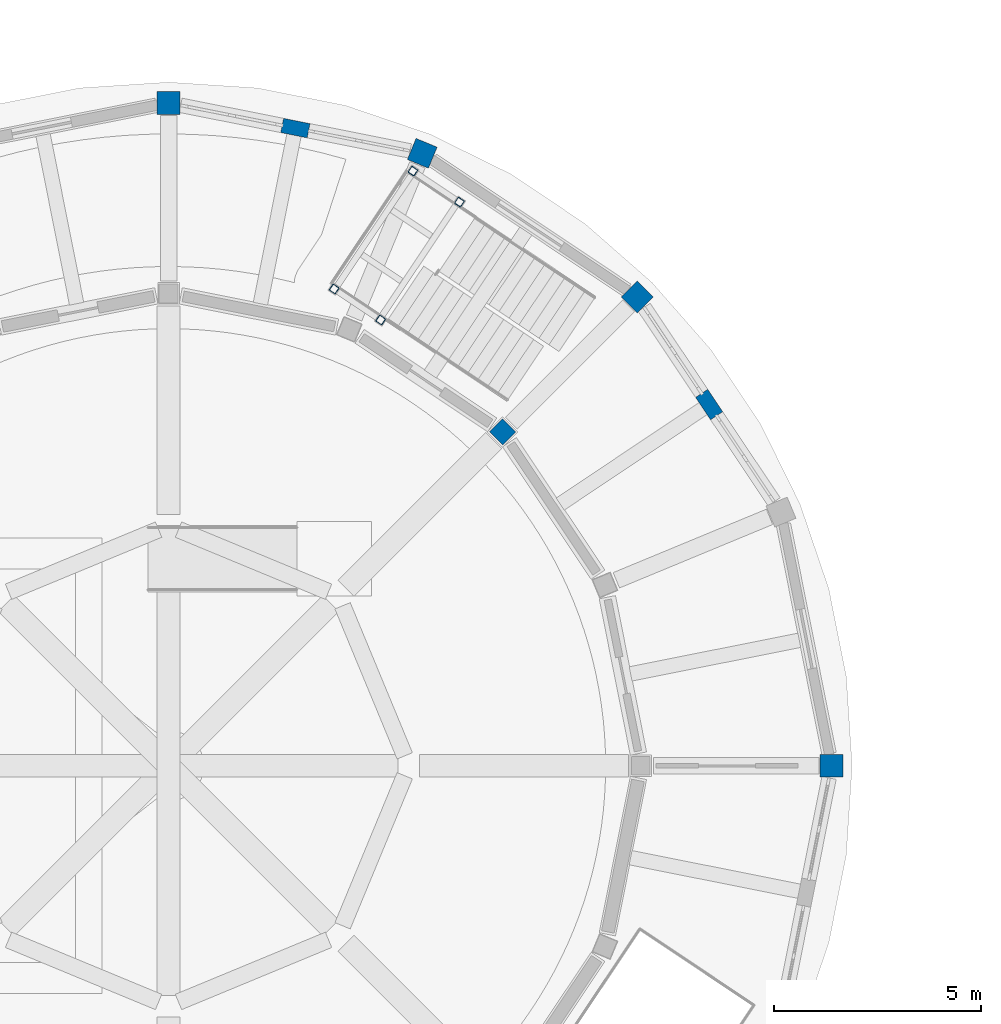
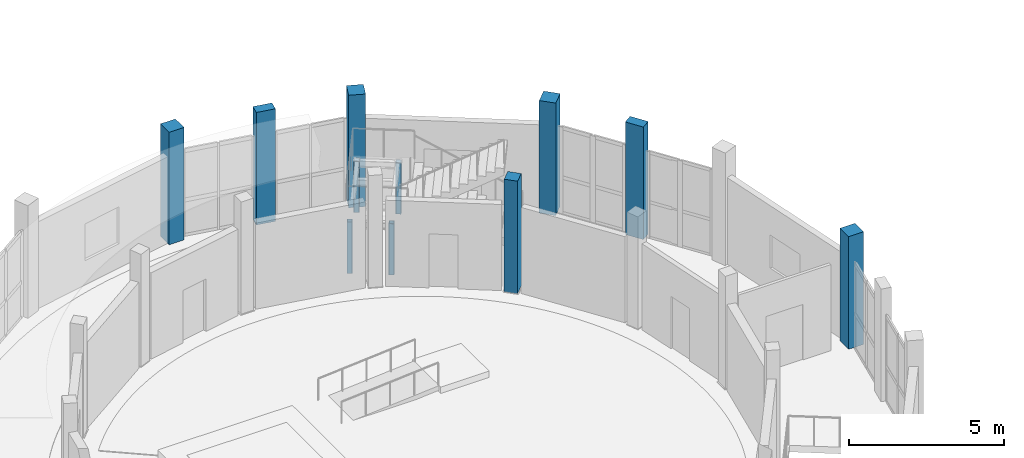
# One storey, part 16 of 92: 11 columns.
"""IFC4 building model written with IfcOpenShell, lengths in metres."""

from ifc_helpers import new_model, si_unit, direction, frame, origin, origin_2d, place, context, subcontext, project, spatial, rectangle, hollow_rectangle, extrude, material, material_profile, profile_set, type_object, element, save


model = new_model("IFC4")

# Units and contexts
model_context = context("Model", 3, precision=1e-05, world=origin(), true_north=direction((0.0, 1.0)))
body_context = subcontext(model_context, "Body", "Model", "MODEL_VIEW")
ifc_project = project(units=[si_unit("LENGTHUNIT", "METRE"), si_unit("AREAUNIT", "SQUARE_METRE"), si_unit("VOLUMEUNIT", "CUBIC_METRE"), si_unit("PLANEANGLEUNIT", "RADIAN"), si_unit("MASSUNIT", "GRAM", prefix="KILO")], contexts=[model_context])

# Site, building, storey
site_placement = place(None, origin())
site = spatial("IfcSite", under=ifc_project, at=site_placement, CompositionType="ELEMENT")
building_placement = place(site_placement, origin())
building = spatial("IfcBuilding", under=site, at=building_placement, Name="Caldaven Crescent School", CompositionType="ELEMENT")
storey_placement = place(building_placement, origin())
storey = spatial("IfcBuildingStorey", under=building, at=storey_placement, Name="L00", CompositionType="ELEMENT", Elevation=0.0)

# Columns
ifc_material_1 = material(Name="Glulam MLE24h (GL28h)", Category="wood")
ifc_material_profile_1 = material_profile(ifc_material_1, rectangle(XDim=0.449951171875, YDim=0.449951171875, at=origin_2d()), Name="MLE 450x450")
ifc_profile_set_1 = profile_set([ifc_material_profile_1], Name="Glulam MLE24h (GL28h)")
column_type_1 = type_object("IfcColumnType", Name="COL-GL45", PredefinedType="COLUMN", material=ifc_profile_set_1)
column_placement = place(storey_placement, frame((31.56103515625, 106.56103515625, 0.0), z_axis=(0.0, 0.0, 1.0), x_axis=(0.707106781187, 0.707106781187, 0.0)))
element("IfcColumn", 1, at=column_placement, inside=storey, type_object=column_type_1, Name="COL-V2-L00-GAL-02", PredefinedType="COLUMN", context=body_context, shape_type="SweptSolid", body=[
    extrude(rectangle(XDim=0.449951171875, YDim=0.449951171875, at=origin_2d()), origin(), (0.0, 0.0, 1.0), 4.419921875),
])
ifc_material_2 = material(Name="Steel ASTM A572 Grade 50", Category="steel")
ifc_material_profile_2 = material_profile(ifc_material_2, hollow_rectangle(XDim=0.179931640625, YDim=0.179931640625, WallThickness=0.010009765625, InnerFilletRadius=0.010009765625, OuterFilletRadius=0.02001953125, at=origin_2d()), Name="HSS 180x180x10")
ifc_profile_set_2 = profile_set([ifc_material_profile_2], Name="Steel ASTM A572 Grade 50")
column_type_2 = type_object("IfcColumnType", Name="COL-HS18", PredefinedType="COLUMN", material=ifc_profile_set_2)
for number, where, z_axis, x_axis, name in (
    (2, (30.52001953125, 112.102294921875, 0.0), (0.0, 0.0, 1.0), (-0.831469612303, 0.55557023302, 0.0), "COL-STPOST-STV2-L00-A"),
    (3, (28.6201171875, 109.258544921875, 0.0), (0.0, 0.0, 1.0), (-0.831469612303, 0.55557023302, 0.0), "COL-STPOST-STV2-L00-B"),
    (4, (29.397705078125, 112.852294921875, 0.0), (0.0, 0.0, 1.0), (-0.831469612303, 0.55557023302, 0.0), "COL-STPOST-STV2-L00-C"),
    (5, (27.49755859375, 110.008544921875, 0.0), (0.0, 0.0, 1.0), (-0.831469612303, 0.55557023302, 0.0), "COL-STPOST-STV2-L00-D"),
):
    element("IfcColumn", number, at=place(storey_placement, frame(where, z_axis=z_axis, x_axis=x_axis)), inside=storey, type_object=column_type_2, Name=name, PredefinedType="COLUMN", context=body_context, shape_type="SweptSolid", body=[
        extrude(hollow_rectangle(XDim=0.179931640625, YDim=0.179931640625, WallThickness=0.010009765625, InnerFilletRadius=0.010009765625, OuterFilletRadius=0.02001953125, at=origin_2d()), origin(), (0.0, 0.0, 1.0), 2.014892578125),
    ])
ifc_material_3 = material(Name="Concrete C35/45", Category="concrete")
ifc_material_profile_3 = material_profile(ifc_material_3, rectangle(XDim=0.550048828125, YDim=0.550048828125, at=origin_2d()), Name="RC 550x550")
ifc_profile_set_3 = profile_set([ifc_material_profile_3], Name="Concrete C35/45")
column_type_3 = type_object("IfcColumnType", Name="COL-RC55", PredefinedType="COLUMN", material=ifc_profile_set_3)
for number, where, z_axis, x_axis, name in (
    (6, (39.5, 98.5, 0.0), (0.0, 0.0, 1.0), (1.0, 0.0, 0.0), "COL-V2-L00-OUT-00"),
    (7, (34.813720703125, 109.813720703125, 0.0), (0.0, 0.0, 1.0), (0.707106781187, 0.707106781187, 0.0), "COL-V2-L00-OUT-02"),
    (8, (29.623046875, 113.281982421875, 0.0), (0.0, 0.0, 1.0), (0.382683432365, 0.923879532511, 0.0), "COL-V2-L00-OUT-03"),
    (9, (23.5, 114.5, 0.0), (0.0, 0.0, 1.0), (0.0, 1.0, 0.0), "COL-V2-L00-OUT-04"),
):
    element("IfcColumn", number, at=place(storey_placement, frame(where, z_axis=z_axis, x_axis=x_axis)), inside=storey, type_object=column_type_3, Name=name, PredefinedType="COLUMN", context=body_context, shape_type="SweptSolid", body=[
        extrude(rectangle(XDim=0.550048828125, YDim=0.550048828125, at=origin_2d()), origin(), (0.0, 0.0, 1.0), 4.419921875),
    ])
ifc_material_4 = material(Name="Concrete C30/37", Category="concrete")
ifc_material_profile_4 = material_profile(ifc_material_4, rectangle(XDim=0.35009765625, YDim=0.64990234375, at=origin_2d()), Name="RC 350x650")
ifc_profile_set_4 = profile_set([ifc_material_profile_4], Name="Concrete C30/37")
column_type_4 = type_object("IfcColumnType", Name="PIL-RC35", PredefinedType="PILASTER", material=ifc_profile_set_4)
for number, where, z_axis, x_axis, name in (
    (10, (36.5478515625, 107.21826171875, 0.0), (0.0, 0.0, 1.0), (0.831469612303, 0.55557023302, 0.0), "PIL-V2-L00-00"),
    (11, (26.5615234375, 113.89111328125, 0.0), (0.0, 0.0, 1.0), (0.195090322016, 0.980785280403, 0.0), "PIL-V2-L00-01"),
):
    element("IfcColumn", number, at=place(storey_placement, frame(where, z_axis=z_axis, x_axis=x_axis)), inside=storey, type_object=column_type_4, Name=name, PredefinedType="PILASTER", context=body_context, shape_type="SweptSolid", body=[
        extrude(rectangle(XDim=0.35009765625, YDim=0.64990234375, at=origin_2d()), origin(), (0.0, 0.0, 1.0), 4.419921875),
    ])

save(model, "model.ifc")
